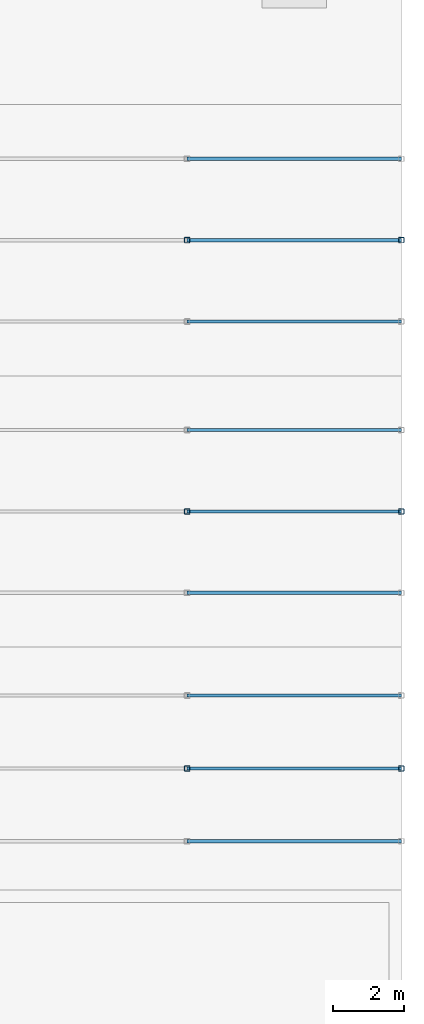
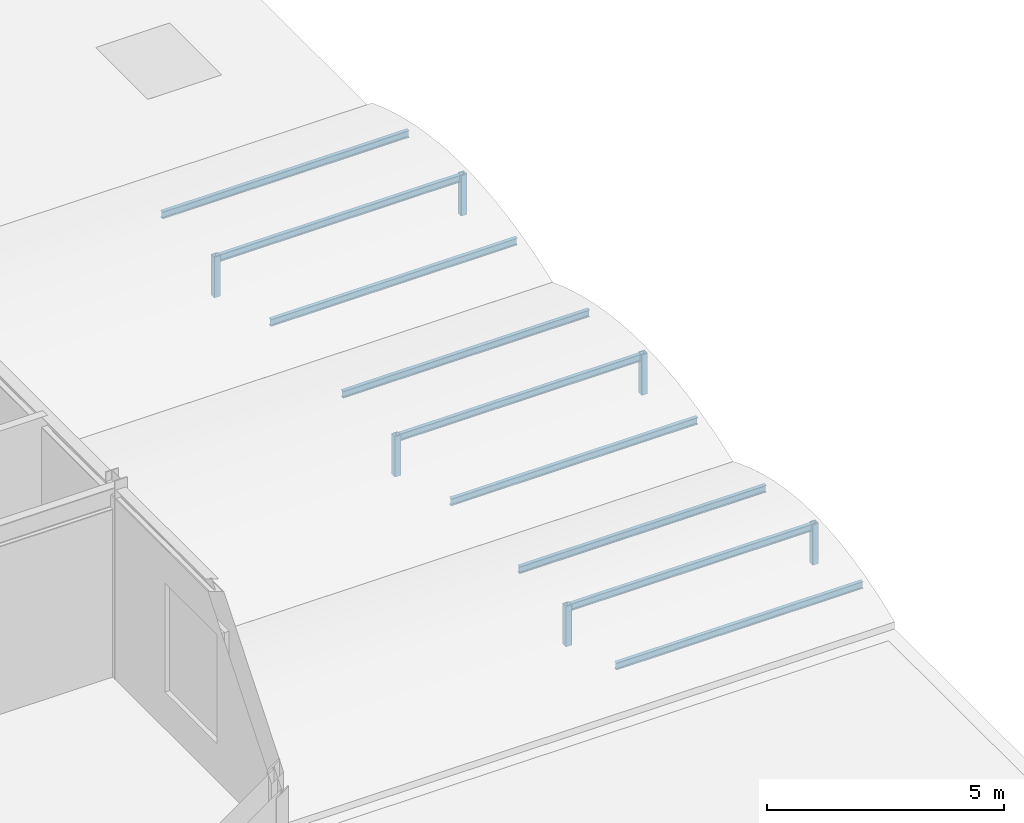
# One storey, part 59 of 113: 15 members.
"""IFC4 building model written with IfcOpenShell, lengths in metres."""

from ifc_helpers import new_model, si_unit, direction, frame, origin, origin_2d, place, context, subcontext, project, spatial, hollow_rectangle, i_section, extrude, material, material_profile, profile_set, type_object, element, save


model = new_model("IFC4")

# Units and contexts
model_context = context("Model", 3, precision=1e-05, world=origin(), true_north=direction((0.0, 1.0)))
body_context = subcontext(model_context, "Body", "Model", "MODEL_VIEW")
ifc_project = project(units=[si_unit("LENGTHUNIT", "METRE"), si_unit("AREAUNIT", "SQUARE_METRE"), si_unit("VOLUMEUNIT", "CUBIC_METRE"), si_unit("PLANEANGLEUNIT", "RADIAN"), si_unit("MASSUNIT", "GRAM", prefix="KILO")], contexts=[model_context])

# Site, building, storey
site_placement = place(None, origin())
site = spatial("IfcSite", under=ifc_project, at=site_placement, CompositionType="ELEMENT")
building_placement = place(site_placement, origin())
building = spatial("IfcBuilding", under=site, at=building_placement, Name="Shalkamar Park Central Library", CompositionType="ELEMENT")
storey_placement = place(building_placement, frame((0.0, 0.0, 5.39990234375)))
storey = spatial("IfcBuildingStorey", under=building, at=storey_placement, Name="L02", CompositionType="ELEMENT", Elevation=5.39990234375)

# Members
ifc_material = material(Name="Steel S355", Category="steel")
ifc_material_profile_1 = material_profile(ifc_material, hollow_rectangle(XDim=0.14990234375, YDim=0.14990234375, WallThickness=0.008056640625, InnerFilletRadius=0.008056640625, OuterFilletRadius=0.011962890625, at=origin_2d()), Name="SHS 150x150x8")
ifc_profile_set_1 = profile_set([ifc_material_profile_1], Name="Steel S355")
member_type_1 = type_object("IfcMemberType", Name="Diagonal Brace SHS150", PredefinedType="BRACE", material=ifc_profile_set_1)
for number, where, z_axis, x_axis, name in (
    (1, (282.0, 251.800048828125, -0.35986328125), (0.0, 0.0, 1.0), (1.0, 0.0, 0.0), "Vault Arch Post BV-L01-E1-21.2"),
    (2, (288.0, 251.800048828125, -0.35986328125), (0.0, 0.0, 1.0), (1.0, 0.0, 0.0), "Vault Arch Post BV-L01-E1-22.2"),
    (3, (282.0, 259.0, -0.35986328125), (0.0, 0.0, 1.0), (1.0, 0.0, 0.0), "Vault Arch Post BV-L01-E2-21.2"),
    (4, (288.0, 259.0, -0.35986328125), (0.0, 0.0, 1.0), (1.0, 0.0, 0.0), "Vault Arch Post BV-L01-E2-22.2"),
    (5, (282.0, 266.60009765625, -0.35986328125), (0.0, 0.0, 1.0), (1.0, 0.0, 0.0), "Vault Arch Post BV-L01-E3-21.2"),
    (6, (288.0, 266.60009765625, -0.35986328125), (0.0, 0.0, 1.0), (1.0, 0.0, 0.0), "Vault Arch Post BV-L01-E3-22.2"),
):
    element("IfcMember", number, at=place(storey_placement, frame(where, z_axis=z_axis, x_axis=x_axis)), inside=storey, type_object=member_type_1, Name=name, PredefinedType="BRACE", context=body_context, shape_type="SweptSolid", body=[
        extrude(hollow_rectangle(XDim=0.14990234375, YDim=0.14990234375, WallThickness=0.008056640625, InnerFilletRadius=0.008056640625, OuterFilletRadius=0.011962890625, at=origin_2d()), origin(), (0.0, 0.0, 1.0), 1.0400390625),
    ])
ifc_material_profile_2 = material_profile(ifc_material, i_section(OverallWidth=0.091064453125, OverallDepth=0.179931640625, WebThickness=0.00537109375, FlangeThickness=0.008056640625, FilletRadius=0.009033203125, at=origin_2d()), Name="IPE 180")
ifc_profile_set_2 = profile_set([ifc_material_profile_2], Name="Steel S355")
member_type_2 = type_object("IfcMemberType", Name="Roof Purlin IPE180", PredefinedType="PURLIN", material=ifc_profile_set_2)
for number, where, z_axis, x_axis, name in (
    (7, (282.0, 249.760009765625, 0.330810546875), (1.0, 0.0, 0.0), (0.0, 1.0, 0.0), "Barrel Roof Purlin BV-L01-E1-1.21"),
    (8, (282.0, 251.800048828125, 0.590087890625), (1.0, 0.0, 0.0), (0.0, 1.0, 0.0), "Barrel Roof Purlin BV-L01-E1-2.21"),
    (9, (282.0, 253.840087890625, 0.330810546875), (1.0, 0.0, 0.0), (0.0, 1.0, 0.0), "Barrel Roof Purlin BV-L01-E1-3.21"),
    (10, (282.0, 256.719970703125, 0.330810546875), (1.0, 0.0, 0.0), (0.0, 1.0, 0.0), "Barrel Roof Purlin BV-L01-E2-1.21"),
    (11, (282.0, 259.0, 0.590087890625), (1.0, 0.0, 0.0), (0.0, 1.0, 0.0), "Barrel Roof Purlin BV-L01-E2-2.21"),
    (12, (282.0, 261.280029296875, 0.330810546875), (1.0, 0.0, 0.0), (0.0, 1.0, 0.0), "Barrel Roof Purlin BV-L01-E2-3.21"),
    (13, (282.0, 264.320068359375, 0.330810546875), (1.0, 0.0, 0.0), (0.0, 1.0, 0.0), "Barrel Roof Purlin BV-L01-E3-1.21"),
    (14, (282.0, 266.60009765625, 0.590087890625), (1.0, 0.0, 0.0), (0.0, 1.0, 0.0), "Barrel Roof Purlin BV-L01-E3-2.21"),
    (15, (282.0, 268.8798828125, 0.330810546875), (1.0, 0.0, 0.0), (0.0, 1.0, 0.0), "Barrel Roof Purlin BV-L01-E3-3.21"),
):
    element("IfcMember", number, at=place(storey_placement, frame(where, z_axis=z_axis, x_axis=x_axis)), inside=storey, type_object=member_type_2, Name=name, PredefinedType="PURLIN", context=body_context, shape_type="SweptSolid", body=[
        extrude(i_section(OverallWidth=0.091064453125, OverallDepth=0.179931640625, WebThickness=0.00537109375, FlangeThickness=0.008056640625, FilletRadius=0.009033203125, at=origin_2d()), origin(), (0.0, 0.0, 1.0), 6.0),
    ])

save(model, "model.ifc")
